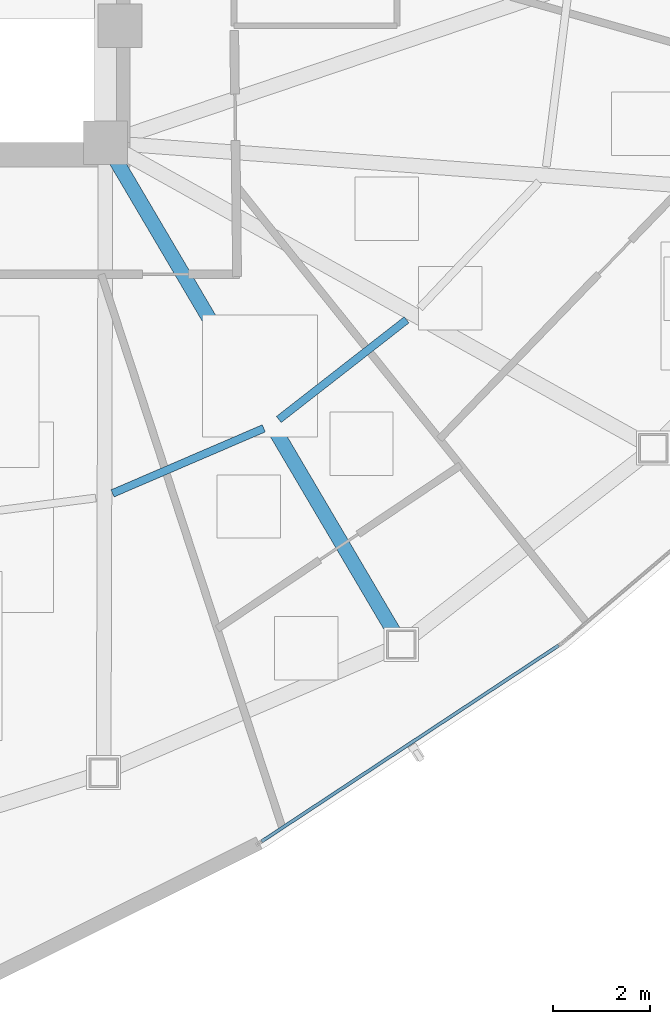
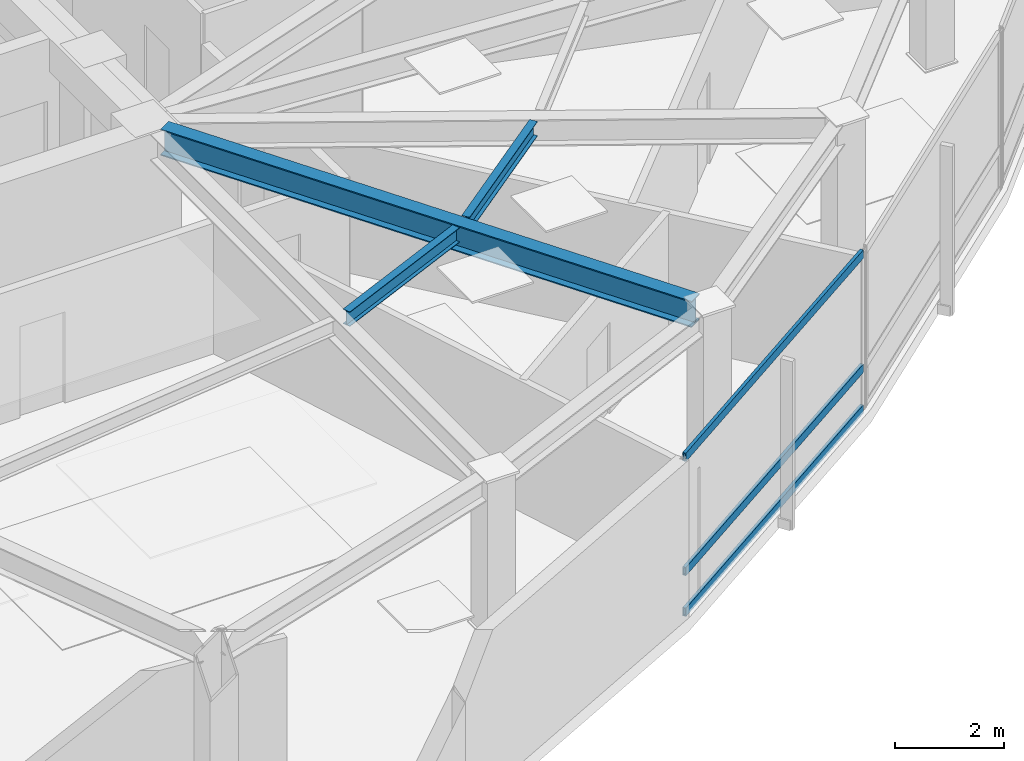
# One storey, part 3 of 17: 3 beams, 3 members, 1 element without a shape of its own.
"""IFC4 building model written with IfcOpenShell, lengths in metres."""

from ifc_helpers import new_model, si_unit, direction, frame, origin, origin_2d, place, context, subcontext, project, spatial, hollow_rectangle, i_section, extrude, source, transform, mapped, material, layer, layer_set, material_profile, profile_set, type_object, type_shapes, element, aggregate, save


model = new_model("IFC4")

# Units and contexts
model_context = context("Model", 3, precision=1e-05, world=origin(), true_north=direction((0.0, 1.0)))
body_context = subcontext(model_context, "Body", "Model", "MODEL_VIEW")
ifc_project = project(units=[si_unit("LENGTHUNIT", "METRE"), si_unit("AREAUNIT", "SQUARE_METRE"), si_unit("VOLUMEUNIT", "CUBIC_METRE"), si_unit("PLANEANGLEUNIT", "RADIAN"), si_unit("MASSUNIT", "GRAM", prefix="KILO")], contexts=[model_context])

# Site, building, storey
site_placement = place(None, origin())
site = spatial("IfcSite", under=ifc_project, at=site_placement, CompositionType="ELEMENT")
building_placement = place(site_placement, origin())
building = spatial("IfcBuilding", under=site, at=building_placement, Name="Tavelor Broadcast Tower", CompositionType="ELEMENT")
storey_placement = place(building_placement, frame((0.0, 0.0, 188.75)))
storey = spatial("IfcBuildingStorey", under=building, at=storey_placement, Name="L45", CompositionType="ELEMENT", Elevation=188.75)

# Beams
ifc_material_1 = material(Name="Steel S355", Category="steel")
ifc_material_profile_1 = material_profile(ifc_material_1, i_section(OverallWidth=0.159912109375, OverallDepth=0.330078125, WebThickness=0.007568359375, FlangeThickness=0.011474609375, at=origin_2d()), Name="IPE 330")
ifc_profile_set_1 = profile_set([ifc_material_profile_1], Name="Steel S355")
beam_type_1 = type_object("IfcBeamType", Name="Composite Floor Joist T4 IPE 330", PredefinedType="JOIST", material=ifc_profile_set_1)
beam_1_placement = place(storey_placement, frame((56.744384765625, 31.603515625, 3.385009765625), z_axis=(0.918692008618, 0.394974674254, 0.0), x_axis=(-0.394974674254, 0.918692008618, 0.0)))
element("IfcBeam", 1, at=beam_1_placement, inside=storey, type_object=beam_type_1, Name="L45 Secondary Composite Floor Joist 09", PredefinedType="JOIST", context=body_context, shape_type="SweptSolid", body=[
    extrude(i_section(OverallWidth=0.159912109375, OverallDepth=0.330078125, WebThickness=0.007568359375, FlangeThickness=0.011474609375, at=origin_2d()), origin(), (0.0, 0.0, 1.0), 3.37744140625),
])
beam_2_placement = place(storey_placement, frame((60.156005859375, 33.120361328125, 3.385009765625), z_axis=(0.788651848012, 0.614840030112, 0.0), x_axis=(-0.614840030112, 0.788651848012, 0.0)))
element("IfcBeam", 2, at=beam_2_placement, inside=storey, type_object=beam_type_1, Name="L45 Secondary Composite Floor Joist 10", PredefinedType="JOIST", context=body_context, shape_type="SweptSolid", body=[
    extrude(i_section(OverallWidth=0.159912109375, OverallDepth=0.330078125, WebThickness=0.007568359375, FlangeThickness=0.011474609375, at=origin_2d()), origin(), (0.0, 0.0, 1.0), 3.32470703125),
])
ifc_material_profile_2 = material_profile(ifc_material_1, i_section(OverallWidth=0.300048828125, OverallDepth=0.590087890625, WebThickness=0.012939453125, FlangeThickness=0.02490234375, at=origin_2d()), Name="HEA 600")
ifc_profile_set_2 = profile_set([ifc_material_profile_2], Name="Steel S355")
beam_type_2 = type_object("IfcBeamType", Name="Radial Floor Girder T4 HEA 600", PredefinedType="BEAM", material=ifc_profile_set_2)
beam_3_placement = place(storey_placement, frame((56.8193359375, 38.427734375, 3.2548828125), z_axis=(0.50778362975, -0.861484640233, 0.0), x_axis=(0.861484640233, 0.50778362975, 0.0)))
element("IfcBeam", 3, at=beam_3_placement, inside=storey, type_object=beam_type_2, Name="L45 Radial Primary Floor Girder 10", PredefinedType="BEAM", context=body_context, shape_type="SweptSolid", body=[
    extrude(i_section(OverallWidth=0.300048828125, OverallDepth=0.590087890625, WebThickness=0.012939453125, FlangeThickness=0.02490234375, at=origin_2d()), origin(), (0.0, 0.0, 1.0), 11.232421875),
])

# Curtain wall, members
ifc_material_2 = material(Name="Architectural Anodized Aluminium", Category="aluminium")
ifc_layer = layer(ifc_material_2, 0.18994140625)
ifc_layer_set = layer_set([ifc_layer], Name="Architectural Anodized Aluminium")
curtain_wall_type = type_object("IfcCurtainWallType", Name="Tower Mid-Zone Acoustic Curtain Wall CW03", PredefinedType="NOTDEFINED", material=ifc_layer_set)
curtain_wall_placement = place(storey_placement, origin())
curtain_wall = element("IfcCurtainWall", 4, at=curtain_wall_placement, inside=storey, type_object=curtain_wall_type, Name="L45 Curtain Wall CW03 Run 485", PredefinedType="NOTDEFINED")
ifc_material_profile_3 = material_profile(ifc_material_2, hollow_rectangle(XDim=0.068115234375, YDim=0.18994140625, WallThickness=0.02197265625, at=origin_2d()), Name="RHS 68x190x22")
ifc_profile_set_3 = profile_set([ifc_material_profile_3], Name="Architectural Anodized Aluminium")
member_type = type_object("IfcMemberType", Name="CW03 Extruded Aluminium Transom 68x190", PredefinedType="USERDEFINED", material=ifc_profile_set_3)
shared_shape = source(origin(), body_context, "Body", "SweptSolid", [
    extrude(hollow_rectangle(XDim=0.068115234375, YDim=0.18994140625, WallThickness=0.02197265625, at=origin_2d()), origin(), (0.0, 0.0, 1.0), 7.302490234375),
])
type_shapes(member_type, [shared_shape])
member_1_placement = place(storey_placement, frame((59.80322265625, 24.460205078125, 0.033935546875), z_axis=(0.834613095408, 0.550836619129, 0.0), x_axis=(-0.550836619129, 0.834613095408, 0.0)))
member_1 = element("IfcMember", 5, at=member_1_placement, type_object=member_type, Name="CW03 transom 1.1", ObjectType="TRANSOM", PredefinedType="USERDEFINED", context=body_context, shape_type="MappedRepresentation", body=[
    mapped(shared_shape, transform((0.0, 0.0, 0.0), scale=1.0)),
])
member_2_placement = place(storey_placement, frame((59.80322265625, 24.460205078125, 0.949951171875), z_axis=(0.834613095408, 0.550836619129, 0.0), x_axis=(-0.550836619129, 0.834613095408, 0.0)))
member_2 = element("IfcMember", 6, at=member_2_placement, type_object=member_type, Name="CW03 transom 1.2", ObjectType="TRANSOM", PredefinedType="USERDEFINED", context=body_context, shape_type="MappedRepresentation", body=[
    mapped(shared_shape, transform((0.0, 0.0, 0.0), scale=1.0)),
])
member_3_placement = place(storey_placement, frame((59.80322265625, 24.460205078125, 3.51611328125), z_axis=(0.834613095408, 0.550836619129, 0.0), x_axis=(-0.550836619129, 0.834613095408, 0.0)))
member_3 = element("IfcMember", 7, at=member_3_placement, type_object=member_type, Name="CW03 transom 1.3", ObjectType="TRANSOM", PredefinedType="USERDEFINED", context=body_context, shape_type="MappedRepresentation", body=[
    mapped(shared_shape, transform((0.0, 0.0, 0.0), scale=1.0)),
])
aggregate(curtain_wall, [member_1, member_2, member_3])

save(model, "model.ifc")
